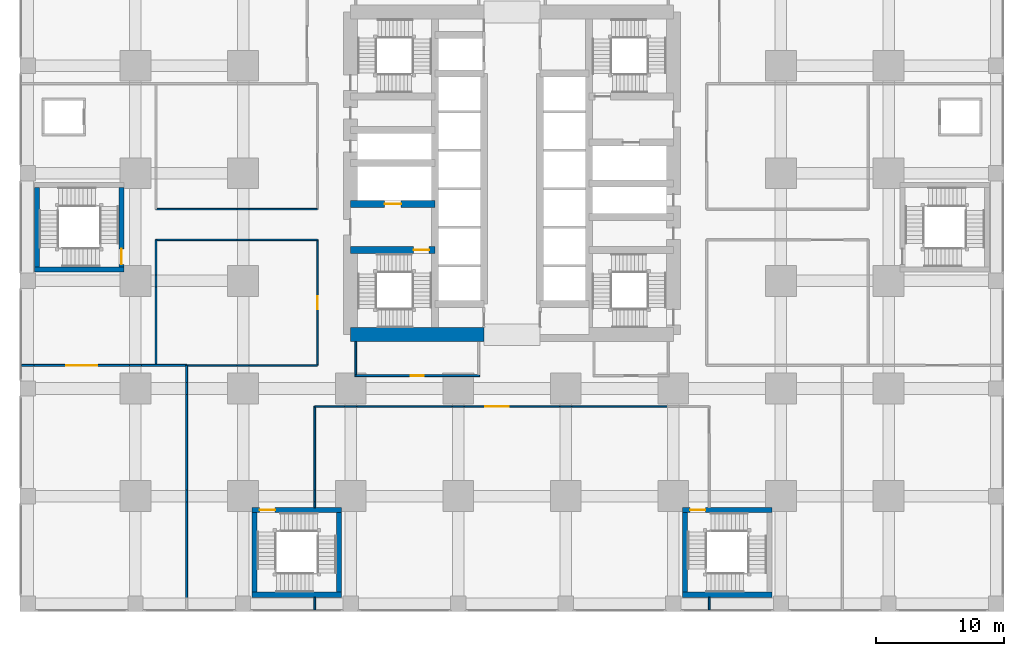
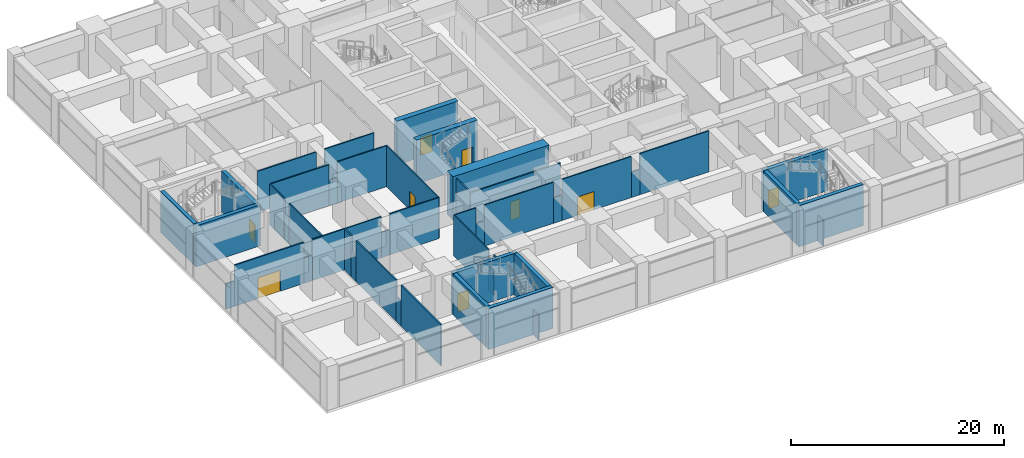
# One storey, part 36 of 49: 49 walls, 9 doors, 9 openings.
"""IFC4 building model written with IfcOpenShell, lengths in metres."""

from ifc_helpers import new_model, si_unit, direction, frame, frame_2d, origin, place, context, subcontext, project, spatial, rectangle, extrude, material, layer, layer_set, type_object, element, fill, save


model = new_model("IFC4")

# Units and contexts
model_context = context("Model", 3, precision=1e-05, world=origin(), true_north=direction((0.0, 1.0)))
body_context = subcontext(model_context, "Body", "Model", "MODEL_VIEW")
ifc_project = project(units=[si_unit("LENGTHUNIT", "METRE"), si_unit("AREAUNIT", "SQUARE_METRE"), si_unit("VOLUMEUNIT", "CUBIC_METRE"), si_unit("PLANEANGLEUNIT", "RADIAN"), si_unit("MASSUNIT", "GRAM", prefix="KILO")], contexts=[model_context])

# Site, building, storey
site_placement = place(None, origin())
site = spatial("IfcSite", under=ifc_project, at=site_placement, CompositionType="ELEMENT")
building_placement = place(site_placement, origin())
building = spatial("IfcBuilding", under=site, at=building_placement, Name="Rekha Terrace Tower", CompositionType="ELEMENT")
storey_placement = place(building_placement, frame((0.0, 0.0, 5.39990234375)))
storey = spatial("IfcBuildingStorey", under=building, at=storey_placement, Name="L01", CompositionType="ELEMENT", Elevation=5.39990234375)

# Wall, opening, door
ifc_material_1 = material(Name="Concrete M70", Category="concrete")
ifc_layer_1 = layer(ifc_material_1, 0.550048828125)
ifc_layer_set_1 = layer_set([ifc_layer_1], Name="Concrete M70")
wall_type_1 = type_object("IfcWallType", Name="CI1 550 core internal shear wall", PredefinedType="SHEAR", material=ifc_layer_set_1)
wall_1_placement = place(storey_placement, frame((25.199951171875, 27.60009765625, 0.0), z_axis=(0.0, 0.0, 1.0), x_axis=(1.0, 0.0, 0.0)))
wall_1 = element("IfcWall", 1, at=wall_1_placement, inside=storey, type_object=wall_type_1, Name="Core wall Y276W L01", PredefinedType="SHEAR", context=body_context, shape_type="SweptSolid", body=[
    extrude(rectangle(XDim=6.60009765625, YDim=0.550048828125, at=frame_2d((3.300048828125, 0.0))), origin(), (0.0, 0.0, 1.0), 5.0),
])
opening_1_placement = place(wall_1_placement, frame((4.925048828125, 0.0, 0.0)))
opening_1 = element("IfcOpeningElement", 2, at=opening_1_placement, cuts=wall_1, Name="Opening D1", PredefinedType="OPENING", context=body_context, shape_type="SweptSolid", body=[
    extrude(rectangle(XDim=1.199951171875, YDim=2.10009765625, at=frame_2d((0.60009765625, 1.050048828125))), frame((0.0, 0.284912109375, 0.0), z_axis=(0.0, -1.0, 0.0), x_axis=(1.0, 0.0, 0.0)), (0.0, 0.0, 1.0), 0.570068359375),
])
ifc_material_2 = material(Name="Steel fire door", Category="steel")
door_type_1 = type_object("IfcDoorType", Name="D1 1200x2100 stair fire door", OperationType="SINGLE_SWING_RIGHT", PredefinedType="DOOR", material=ifc_material_2)
door_1_placement = place(opening_1_placement, origin())
door_1 = element("IfcDoor", 3, at=door_1_placement, inside=storey, type_object=door_type_1, Name="Stair ST1 door L01", OperationType="SINGLE_SWING_RIGHT", OverallHeight=2.10009765625, OverallWidth=1.199951171875, PredefinedType="DOOR", context=body_context, shape_type="SweptSolid", body=[
    extrude(rectangle(XDim=1.199951171875, YDim=2.10009765625, at=frame_2d((0.60009765625, 1.050048828125))), frame((0.0, 0.02490234375, 0.0), z_axis=(0.0, -1.0, 0.0), x_axis=(1.0, 0.0, 0.0)), (0.0, 0.0, 1.0), 0.050048828125),
])
fill(opening_1, door_1)

wall_2_placement = place(storey_placement, frame((25.199951171875, 31.199951171875, 0.0), z_axis=(0.0, 0.0, 1.0), x_axis=(1.0, 0.0, 0.0)))
wall_2 = element("IfcWall", 4, at=wall_2_placement, inside=storey, type_object=wall_type_1, Name="Core wall Y312W L01", PredefinedType="SHEAR", context=body_context, shape_type="SweptSolid", body=[
    extrude(rectangle(XDim=6.60009765625, YDim=0.550048828125, at=frame_2d((3.300048828125, 0.0))), origin(), (0.0, 0.0, 1.0), 5.0),
])
opening_2_placement = place(wall_2_placement, frame((2.64990234375, 0.0, 0.0)))
opening_2 = element("IfcOpeningElement", 5, at=opening_2_placement, cuts=wall_2, Name="Opening LD2", PredefinedType="OPENING", context=body_context, shape_type="SweptSolid", body=[
    extrude(rectangle(XDim=1.300048828125, YDim=2.10009765625, at=frame_2d((0.64990234375, 1.050048828125))), frame((0.0, 0.284912109375, 0.0), z_axis=(0.0, -1.0, 0.0), x_axis=(1.0, 0.0, 0.0)), (0.0, 0.0, 1.0), 0.570068359375),
])
ifc_material_3 = material(Name="Stainless steel sliding landing door", Category="steel")
door_type_2 = type_object("IfcDoorType", Name="LD2 1300x2100 fire lift landing door", OperationType="SLIDING_TO_LEFT", PredefinedType="USERDEFINED", material=ifc_material_3)
door_2_placement = place(opening_2_placement, origin())
door_2 = element("IfcDoor", 6, at=door_2_placement, inside=storey, type_object=door_type_2, Name="Lift FL1 landing door L01", ObjectType="LIFT LANDING DOOR", OperationType="SLIDING_TO_LEFT", OverallHeight=2.10009765625, OverallWidth=1.300048828125, PredefinedType="USERDEFINED", context=body_context, shape_type="SweptSolid", body=[
    extrude(rectangle(XDim=1.300048828125, YDim=2.10009765625, at=frame_2d((0.64990234375, 1.050048828125))), frame((0.0, 0.02490234375, 0.0), z_axis=(0.0, -1.0, 0.0), x_axis=(1.0, 0.0, 0.0)), (0.0, 0.0, 1.0), 0.050048828125),
])
fill(opening_2, door_2)

# Wall
ifc_layer_2 = layer(ifc_material_1, 1.10009765625)
ifc_layer_set_2 = layer_set([ifc_layer_2], Name="Concrete M70")
wall_type_2 = type_object("IfcWallType", Name="SW1 1100 core outer shear wall", PredefinedType="SHEAR", material=ifc_layer_set_2)
wall_3_placement = place(storey_placement, frame((25.199951171875, 21.0, 0.0), z_axis=(0.0, 0.0, 1.0), x_axis=(1.0, 0.0, 0.0)))
element("IfcWall", 7, at=wall_3_placement, inside=storey, type_object=wall_type_2, Name="Core wall S1 L01", PredefinedType="SHEAR", context=body_context, shape_type="SweptSolid", body=[
    extrude(rectangle(XDim=10.400146484375, YDim=1.10009765625, at=frame_2d((5.2001953125, 0.0))), origin(), (0.0, 0.0, 1.0), 5.0),
])

# Wall, opening, door
ifc_material_4 = material(Name="Concrete block masonry, 1 hour", Category="masonry")
ifc_layer_3 = layer(ifc_material_4, 0.14990234375)
ifc_layer_set_3 = layer_set([ifc_layer_3], Name="Concrete block masonry, 1 hour")
wall_type_3 = type_object("IfcWallType", Name="WP2 150 tenancy partition", PredefinedType="PARTITIONING", material=ifc_layer_set_3)
wall_4_placement = place(storey_placement, frame((25.52490234375, 17.800048828125, 0.0), z_axis=(0.0, 0.0, 1.0), x_axis=(1.0, 0.0, 0.0)))
wall_4 = element("IfcWall", 8, at=wall_4_placement, inside=storey, type_object=wall_type_3, Name="Men's WC wall L01", PredefinedType="PARTITIONING", context=body_context, shape_type="SweptSolid", body=[
    extrude(rectangle(XDim=9.75, YDim=0.14990234375, at=frame_2d((4.875, 0.0))), origin(), (0.0, 0.0, 1.0), 4.7001953125),
])
opening_3_placement = place(wall_4_placement, frame((4.375, 0.0, 0.0)))
opening_3 = element("IfcOpeningElement", 9, at=opening_3_placement, cuts=wall_4, Name="Opening D3", PredefinedType="OPENING", context=body_context, shape_type="SweptSolid", body=[
    extrude(rectangle(XDim=1.0, YDim=2.10009765625, at=frame_2d((0.5, 1.050048828125))), frame((0.0, 0.0849609375, 0.0), z_axis=(0.0, -1.0, 0.0), x_axis=(1.0, 0.0, 0.0)), (0.0, 0.0, 1.0), 0.169921875),
])
ifc_material_5 = material(Name="Laminated timber fire door", Category="wood")
door_type_3 = type_object("IfcDoorType", Name="D3 1000x2100 WC door", OperationType="SINGLE_SWING_LEFT", PredefinedType="DOOR", material=ifc_material_5)
door_3_placement = place(opening_3_placement, origin())
door_3 = element("IfcDoor", 10, at=door_3_placement, inside=storey, type_object=door_type_3, Name="Door men's wc L01", OperationType="SINGLE_SWING_LEFT", OverallHeight=2.10009765625, OverallWidth=1.0, PredefinedType="DOOR", context=body_context, shape_type="SweptSolid", body=[
    extrude(rectangle(XDim=1.0, YDim=2.10009765625, at=frame_2d((0.5, 1.050048828125))), frame((0.0, 0.02490234375, 0.0), z_axis=(0.0, -1.0, 0.0), x_axis=(1.0, 0.0, 0.0)), (0.0, 0.0, 1.0), 0.050048828125),
])
fill(opening_3, door_3)

# Walls
wall_5_placement = place(storey_placement, frame((25.60009765625, 17.875, 0.0), z_axis=(0.0, 0.0, 1.0), x_axis=(0.0, 1.0, 0.0)))
element("IfcWall", 11, at=wall_5_placement, inside=storey, type_object=wall_type_3, Name="Men's WC wall L01", PredefinedType="PARTITIONING", context=body_context, shape_type="SweptSolid", body=[
    extrude(rectangle(XDim=2.574951171875, YDim=0.14990234375, at=frame_2d((1.28759765625, 0.0))), origin(), (0.0, 0.0, 1.0), 4.7001953125),
])
wall_6_placement = place(storey_placement, frame((-0.489990234375, 18.60009765625, 0.0), z_axis=(0.0, 0.0, 1.0), x_axis=(1.0, 0.0, 0.0)))
element("IfcWall", 12, at=wall_6_placement, inside=storey, type_object=wall_type_3, Name="Partition L01-05", PredefinedType="PARTITIONING", context=body_context, shape_type="SweptSolid", body=[
    extrude(rectangle(XDim=0.949951171875, YDim=0.14990234375, at=frame_2d((0.47509765625, 0.0))), origin(), (0.0, 0.0, 1.0), 2.900146484375),
])

# Wall, opening, door
wall_7_placement = place(storey_placement, frame((0.4599609375, 18.60009765625, 0.0), z_axis=(0.0, 0.0, 1.0), x_axis=(1.0, 0.0, 0.0)))
wall_7 = element("IfcWall", 13, at=wall_7_placement, inside=storey, type_object=wall_type_3, Name="Partition L01-05", PredefinedType="PARTITIONING", context=body_context, shape_type="SweptSolid", body=[
    extrude(rectangle(XDim=7.47998046875, YDim=0.14990234375, at=frame_2d((3.739990234375, 0.0))), origin(), (0.0, 0.0, 1.0), 4.7001953125),
])
opening_4_placement = place(wall_7_placement, frame((2.5400390625, 0.0, 0.0)))
opening_4 = element("IfcOpeningElement", 14, at=opening_4_placement, cuts=wall_7, Name="Opening D7", PredefinedType="OPENING", context=body_context, shape_type="SweptSolid", body=[
    extrude(rectangle(XDim=2.39990234375, YDim=2.39990234375, at=frame_2d((1.199951171875, 1.199951171875))), frame((0.0, 0.0849609375, 0.0), z_axis=(0.0, -1.0, 0.0), x_axis=(1.0, 0.0, 0.0)), (0.0, 0.0, 1.0), 0.169921875),
])
ifc_material_6 = material(Name="Glazed aluminium door", Category="aluminium")
door_type_4 = type_object("IfcDoorType", Name="D7 2400x2400 shopfront double door", OperationType="DOUBLE_DOOR_SINGLE_SWING", PredefinedType="DOOR", material=ifc_material_6)
door_4_placement = place(opening_4_placement, origin())
door_4 = element("IfcDoor", 15, at=door_4_placement, inside=storey, type_object=door_type_4, Name="Door retail unit 7 L01", OperationType="DOUBLE_DOOR_SINGLE_SWING", OverallHeight=2.39990234375, OverallWidth=2.39990234375, PredefinedType="DOOR", context=body_context, shape_type="SweptSolid", body=[
    extrude(rectangle(XDim=2.39990234375, YDim=2.39990234375, at=frame_2d((1.199951171875, 1.199951171875))), frame((0.0, 0.02490234375, 0.0), z_axis=(0.0, -1.0, 0.0), x_axis=(1.0, 0.0, 0.0)), (0.0, 0.0, 1.0), 0.050048828125),
])
fill(opening_4, door_4)

# Walls
wall_8_placement = place(storey_placement, frame((7.93994140625, 18.60009765625, 0.0), z_axis=(0.0, 0.0, 1.0), x_axis=(1.0, 0.0, 0.0)))
element("IfcWall", 16, at=wall_8_placement, inside=storey, type_object=wall_type_3, Name="Partition L01-05", PredefinedType="PARTITIONING", context=body_context, shape_type="SweptSolid", body=[
    extrude(rectangle(XDim=0.920166015625, YDim=0.14990234375, at=frame_2d((0.4599609375, 0.0))), origin(), (0.0, 0.0, 1.0), 2.900146484375),
])
wall_9_placement = place(storey_placement, frame((8.860107421875, 18.60009765625, 0.0), z_axis=(0.0, 0.0, 1.0), x_axis=(1.0, 0.0, 0.0)))
element("IfcWall", 17, at=wall_9_placement, inside=storey, type_object=wall_type_3, Name="Partition L01-05", PredefinedType="PARTITIONING", context=body_context, shape_type="SweptSolid", body=[
    extrude(rectangle(XDim=3.539794921875, YDim=0.14990234375, at=frame_2d((1.77001953125, 0.0))), origin(), (0.0, 0.0, 1.0), 4.7001953125),
])
wall_10_placement = place(storey_placement, frame((12.39990234375, 18.60009765625, 0.0), z_axis=(0.0, 0.0, 1.0), x_axis=(0.0, -1.0, 0.0)))
element("IfcWall", 18, at=wall_10_placement, inside=storey, type_object=wall_type_3, Name="Partition L01-05", PredefinedType="PARTITIONING", context=body_context, shape_type="SweptSolid", body=[
    extrude(rectangle(XDim=1.340087890625, YDim=0.14990234375, at=frame_2d((0.669921875, 0.0))), origin(), (0.0, 0.0, 1.0), 4.7001953125),
])
wall_11_placement = place(storey_placement, frame((12.39990234375, 17.260009765625, 0.0), z_axis=(0.0, 0.0, 1.0), x_axis=(0.0, -1.0, 0.0)))
element("IfcWall", 19, at=wall_11_placement, inside=storey, type_object=wall_type_3, Name="Partition L01-05", PredefinedType="PARTITIONING", context=body_context, shape_type="SweptSolid", body=[
    extrude(rectangle(XDim=0.919921875, YDim=0.14990234375, at=frame_2d((0.4599609375, 0.0))), origin(), (0.0, 0.0, 1.0), 2.900146484375),
])
wall_12_placement = place(storey_placement, frame((12.39990234375, 16.340087890625, 0.0), z_axis=(0.0, 0.0, 1.0), x_axis=(0.0, -1.0, 0.0)))
element("IfcWall", 20, at=wall_12_placement, inside=storey, type_object=wall_type_3, Name="Partition L01-05", PredefinedType="PARTITIONING", context=body_context, shape_type="SweptSolid", body=[
    extrude(rectangle(XDim=7.47998046875, YDim=0.14990234375, at=frame_2d((3.739990234375, 0.0))), origin(), (0.0, 0.0, 1.0), 4.7001953125),
])
wall_13_placement = place(storey_placement, frame((12.39990234375, 8.860107421875, 0.0), z_axis=(0.0, 0.0, 1.0), x_axis=(0.0, -1.0, 0.0)))
element("IfcWall", 21, at=wall_13_placement, inside=storey, type_object=wall_type_3, Name="Partition L01-05", PredefinedType="PARTITIONING", context=body_context, shape_type="SweptSolid", body=[
    extrude(rectangle(XDim=0.920166015625, YDim=0.14990234375, at=frame_2d((0.4599609375, 0.0))), origin(), (0.0, 0.0, 1.0), 2.900146484375),
])
wall_14_placement = place(storey_placement, frame((12.39990234375, 7.93994140625, 0.0), z_axis=(0.0, 0.0, 1.0), x_axis=(0.0, -1.0, 0.0)))
element("IfcWall", 22, at=wall_14_placement, inside=storey, type_object=wall_type_3, Name="Partition L01-05", PredefinedType="PARTITIONING", context=body_context, shape_type="SweptSolid", body=[
    extrude(rectangle(XDim=7.47998046875, YDim=0.14990234375, at=frame_2d((3.739990234375, 0.0))), origin(), (0.0, 0.0, 1.0), 4.7001953125),
])
ifc_material_7 = material(Name="Two layers of fire-rated gypsum board each side on steel studs, acoustic quilt, 1 hour", Category="steel")
ifc_layer_4 = layer(ifc_material_7, 0.125)
ifc_layer_set_4 = layer_set([ifc_layer_4], Name="Two layers of fire-rated gypsum board each side on steel studs, acoustic quilt, 1 hour")
wall_type_4 = type_object("IfcWallType", Name="WP3 125 office partition", PredefinedType="PARTITIONING", material=ifc_layer_set_4)
wall_15_placement = place(storey_placement, frame((22.39990234375, 7.5, 0.0), z_axis=(0.0, 0.0, 1.0), x_axis=(0.0, 1.0, 0.0)))
element("IfcWall", 23, at=wall_15_placement, inside=storey, type_object=wall_type_4, Name="Partition L01-02", PredefinedType="PARTITIONING", context=body_context, shape_type="SweptSolid", body=[
    extrude(rectangle(XDim=0.43994140625, YDim=0.125, at=frame_2d((0.219970703125, 0.0))), origin(), (0.0, 0.0, 1.0), 4.7001953125),
])
wall_16_placement = place(storey_placement, frame((22.39990234375, 7.93994140625, 0.0), z_axis=(0.0, 0.0, 1.0), x_axis=(0.0, 1.0, 0.0)))
element("IfcWall", 24, at=wall_16_placement, inside=storey, type_object=wall_type_4, Name="Partition L01-02", PredefinedType="PARTITIONING", context=body_context, shape_type="SweptSolid", body=[
    extrude(rectangle(XDim=0.920166015625, YDim=0.125, at=frame_2d((0.4599609375, 0.0))), origin(), (0.0, 0.0, 1.0), 2.900146484375),
])
wall_17_placement = place(storey_placement, frame((22.39990234375, 8.860107421875, 0.0), z_axis=(0.0, 0.0, 1.0), x_axis=(0.0, 1.0, 0.0)))
element("IfcWall", 25, at=wall_17_placement, inside=storey, type_object=wall_type_4, Name="Partition L01-02", PredefinedType="PARTITIONING", context=body_context, shape_type="SweptSolid", body=[
    extrude(rectangle(XDim=6.539794921875, YDim=0.125, at=frame_2d((3.27001953125, 0.0))), origin(), (0.0, 0.0, 1.0), 4.7001953125),
])
wall_18_placement = place(storey_placement, frame((22.39990234375, 15.39990234375, 0.0), z_axis=(0.0, 0.0, 1.0), x_axis=(1.0, 0.0, 0.0)))
element("IfcWall", 26, at=wall_18_placement, inside=storey, type_object=wall_type_4, Name="Partition L01-02", PredefinedType="PARTITIONING", context=body_context, shape_type="SweptSolid", body=[
    extrude(rectangle(XDim=2.340087890625, YDim=0.125, at=frame_2d((1.169921875, 0.0))), origin(), (0.0, 0.0, 1.0), 4.7001953125),
])
wall_19_placement = place(storey_placement, frame((24.739990234375, 15.39990234375, 0.0), z_axis=(0.0, 0.0, 1.0), x_axis=(1.0, 0.0, 0.0)))
element("IfcWall", 27, at=wall_19_placement, inside=storey, type_object=wall_type_4, Name="Partition L01-02", PredefinedType="PARTITIONING", context=body_context, shape_type="SweptSolid", body=[
    extrude(rectangle(XDim=0.919921875, YDim=0.125, at=frame_2d((0.4599609375, 0.0))), origin(), (0.0, 0.0, 1.0), 2.900146484375),
])
wall_20_placement = place(storey_placement, frame((25.659912109375, 15.39990234375, 0.0), z_axis=(0.0, 0.0, 1.0), x_axis=(1.0, 0.0, 0.0)))
element("IfcWall", 28, at=wall_20_placement, inside=storey, type_object=wall_type_4, Name="Partition L01-02", PredefinedType="PARTITIONING", context=body_context, shape_type="SweptSolid", body=[
    extrude(rectangle(XDim=7.47998046875, YDim=0.125, at=frame_2d((3.739990234375, 0.0))), origin(), (0.0, 0.0, 1.0), 4.7001953125),
])
wall_21_placement = place(storey_placement, frame((33.139892578125, 15.39990234375, 0.0), z_axis=(0.0, 0.0, 1.0), x_axis=(1.0, 0.0, 0.0)))
element("IfcWall", 29, at=wall_21_placement, inside=storey, type_object=wall_type_4, Name="Partition L01-02", PredefinedType="PARTITIONING", context=body_context, shape_type="SweptSolid", body=[
    extrude(rectangle(XDim=0.920166015625, YDim=0.125, at=frame_2d((0.4599609375, 0.0))), origin(), (0.0, 0.0, 1.0), 2.900146484375),
])

# Wall, opening, door
wall_22_placement = place(storey_placement, frame((34.06005859375, 15.39990234375, 0.0), z_axis=(0.0, 0.0, 1.0), x_axis=(1.0, 0.0, 0.0)))
wall_22 = element("IfcWall", 30, at=wall_22_placement, inside=storey, type_object=wall_type_4, Name="Partition L01-02", PredefinedType="PARTITIONING", context=body_context, shape_type="SweptSolid", body=[
    extrude(rectangle(XDim=7.47998046875, YDim=0.125, at=frame_2d((3.739990234375, 0.0))), origin(), (0.0, 0.0, 1.0), 4.7001953125),
])
opening_5_placement = place(wall_22_placement, frame((1.669921875, 0.0, 0.0)))
opening_5 = element("IfcOpeningElement", 31, at=opening_5_placement, cuts=wall_22, Name="Opening D8", PredefinedType="OPENING", context=body_context, shape_type="SweptSolid", body=[
    extrude(rectangle(XDim=1.800048828125, YDim=2.10009765625, at=frame_2d((0.89990234375, 1.050048828125))), frame((0.0, 0.072509765625, 0.0), z_axis=(0.0, -1.0, 0.0), x_axis=(1.0, 0.0, 0.0)), (0.0, 0.0, 1.0), 0.14501953125),
])
ifc_material_8 = material(Name="Timber fire door", Category="wood")
door_type_5 = type_object("IfcDoorType", Name="D8 1800x2100 double leaf door", OperationType="DOUBLE_DOOR_SINGLE_SWING", PredefinedType="DOOR", material=ifc_material_8)
door_5_placement = place(opening_5_placement, origin())
door_5 = element("IfcDoor", 32, at=door_5_placement, inside=storey, type_object=door_type_5, Name="Door metro mezzanine L01", OperationType="DOUBLE_DOOR_SINGLE_SWING", OverallHeight=2.10009765625, OverallWidth=1.800048828125, PredefinedType="DOOR", context=body_context, shape_type="SweptSolid", body=[
    extrude(rectangle(XDim=1.800048828125, YDim=2.10009765625, at=frame_2d((0.89990234375, 1.050048828125))), frame((0.0, 0.02490234375, 0.0), z_axis=(0.0, -1.0, 0.0), x_axis=(1.0, 0.0, 0.0)), (0.0, 0.0, 1.0), 0.050048828125),
])
fill(opening_5, door_5)

# Walls
wall_23_placement = place(storey_placement, frame((41.5400390625, 15.39990234375, 0.0), z_axis=(0.0, 0.0, 1.0), x_axis=(1.0, 0.0, 0.0)))
element("IfcWall", 33, at=wall_23_placement, inside=storey, type_object=wall_type_4, Name="Partition L01-02", PredefinedType="PARTITIONING", context=body_context, shape_type="SweptSolid", body=[
    extrude(rectangle(XDim=0.919921875, YDim=0.125, at=frame_2d((0.4599609375, 0.0))), origin(), (0.0, 0.0, 1.0), 2.900146484375),
])
wall_24_placement = place(storey_placement, frame((42.4599609375, 15.39990234375, 0.0), z_axis=(0.0, 0.0, 1.0), x_axis=(1.0, 0.0, 0.0)))
element("IfcWall", 34, at=wall_24_placement, inside=storey, type_object=wall_type_4, Name="Partition L01-02", PredefinedType="PARTITIONING", context=body_context, shape_type="SweptSolid", body=[
    extrude(rectangle(XDim=7.47998046875, YDim=0.125, at=frame_2d((3.739990234375, 0.0))), origin(), (0.0, 0.0, 1.0), 4.7001953125),
])
for number, where, z_axis, x_axis, name in (
    (35, (53.199951171875, 0.5, 0.0), (0.0, 0.0, 1.0), (0.0, -1.0, 0.0), "Partition L01-02"),
    (36, (22.39990234375, -0.489990234375, 0.0), (0.0, 0.0, 1.0), (0.0, 1.0, 0.0), "Partition L01-02"),
):
    element("IfcWall", number, at=place(storey_placement, frame(where, z_axis=z_axis, x_axis=x_axis)), inside=storey, type_object=wall_type_4, Name=name, PredefinedType="PARTITIONING", context=body_context, shape_type="SweptSolid", body=[
        extrude(rectangle(XDim=0.989990234375, YDim=0.125, at=frame_2d((0.4951171875, 0.0))), origin(), (0.0, 0.0, 1.0), 2.900146484375),
    ])
wall_25_placement = place(storey_placement, frame((10.0, 28.39990234375, 0.0), z_axis=(0.0, 0.0, 1.0), x_axis=(1.0, 0.0, 0.0)))
element("IfcWall", 37, at=wall_25_placement, inside=storey, type_object=wall_type_4, Name="Partition L01-07", PredefinedType="PARTITIONING", context=body_context, shape_type="SweptSolid", body=[
    extrude(rectangle(XDim=6.340087890625, YDim=0.125, at=frame_2d((3.169921875, 0.0))), origin(), (0.0, 0.0, 1.0), 4.7001953125),
])
wall_26_placement = place(storey_placement, frame((16.340087890625, 28.39990234375, 0.0), z_axis=(0.0, 0.0, 1.0), x_axis=(1.0, 0.0, 0.0)))
element("IfcWall", 38, at=wall_26_placement, inside=storey, type_object=wall_type_4, Name="Partition L01-07", PredefinedType="PARTITIONING", context=body_context, shape_type="SweptSolid", body=[
    extrude(rectangle(XDim=0.919921875, YDim=0.125, at=frame_2d((0.4599609375, 0.0))), origin(), (0.0, 0.0, 1.0), 2.900146484375),
])
wall_27_placement = place(storey_placement, frame((17.260009765625, 28.39990234375, 0.0), z_axis=(0.0, 0.0, 1.0), x_axis=(1.0, 0.0, 0.0)))
element("IfcWall", 39, at=wall_27_placement, inside=storey, type_object=wall_type_4, Name="Partition L01-07", PredefinedType="PARTITIONING", context=body_context, shape_type="SweptSolid", body=[
    extrude(rectangle(XDim=5.340087890625, YDim=0.125, at=frame_2d((2.669921875, 0.0))), origin(), (0.0, 0.0, 1.0), 4.7001953125),
])

# Wall, opening, door
wall_28_placement = place(storey_placement, frame((22.60009765625, 28.39990234375, 0.0), z_axis=(0.0, 0.0, 1.0), x_axis=(0.0, -1.0, 0.0)))
wall_28 = element("IfcWall", 40, at=wall_28_placement, inside=storey, type_object=wall_type_4, Name="Partition L01-07", PredefinedType="PARTITIONING", context=body_context, shape_type="SweptSolid", body=[
    extrude(rectangle(XDim=9.7998046875, YDim=0.125, at=frame_2d((4.89990234375, 0.0))), origin(), (0.0, 0.0, 1.0), 4.7001953125),
])
opening_6_placement = place(wall_28_placement, frame((4.39990234375, 0.0, 0.0)))
opening_6 = element("IfcOpeningElement", 41, at=opening_6_placement, cuts=wall_28, Name="Opening D9", PredefinedType="OPENING", context=body_context, shape_type="SweptSolid", body=[
    extrude(rectangle(XDim=1.0, YDim=2.10009765625, at=frame_2d((0.5, 1.050048828125))), frame((0.0, 0.072509765625, 0.0), z_axis=(0.0, -1.0, 0.0), x_axis=(1.0, 0.0, 0.0)), (0.0, 0.0, 1.0), 0.14501953125),
])
door_type_6 = type_object("IfcDoorType", Name="D9 1000x2100 office door", OperationType="SINGLE_SWING_LEFT", PredefinedType="DOOR", material=ifc_material_8)
door_6_placement = place(opening_6_placement, origin())
door_6 = element("IfcDoor", 42, at=door_6_placement, inside=storey, type_object=door_type_6, Name="Door metro ticket office L01", OperationType="SINGLE_SWING_LEFT", OverallHeight=2.10009765625, OverallWidth=1.0, PredefinedType="DOOR", context=body_context, shape_type="SweptSolid", body=[
    extrude(rectangle(XDim=1.0, YDim=2.10009765625, at=frame_2d((0.5, 1.050048828125))), frame((0.0, 0.02490234375, 0.0), z_axis=(0.0, -1.0, 0.0), x_axis=(1.0, 0.0, 0.0)), (0.0, 0.0, 1.0), 0.050048828125),
])
fill(opening_6, door_6)

# Walls
wall_29_placement = place(storey_placement, frame((22.60009765625, 18.60009765625, 0.0), z_axis=(0.0, 0.0, 1.0), x_axis=(-1.0, 0.0, 0.0)))
element("IfcWall", 43, at=wall_29_placement, inside=storey, type_object=wall_type_4, Name="Partition L01-07", PredefinedType="PARTITIONING", context=body_context, shape_type="SweptSolid", body=[
    extrude(rectangle(XDim=5.340087890625, YDim=0.125, at=frame_2d((2.669921875, 0.0))), origin(), (0.0, 0.0, 1.0), 4.7001953125),
])
wall_30_placement = place(storey_placement, frame((17.260009765625, 18.60009765625, 0.0), z_axis=(0.0, 0.0, 1.0), x_axis=(-1.0, 0.0, 0.0)))
element("IfcWall", 44, at=wall_30_placement, inside=storey, type_object=wall_type_4, Name="Partition L01-07", PredefinedType="PARTITIONING", context=body_context, shape_type="SweptSolid", body=[
    extrude(rectangle(XDim=0.919921875, YDim=0.125, at=frame_2d((0.4599609375, 0.0))), origin(), (0.0, 0.0, 1.0), 2.900146484375),
])
wall_31_placement = place(storey_placement, frame((16.340087890625, 18.60009765625, 0.0), z_axis=(0.0, 0.0, 1.0), x_axis=(-1.0, 0.0, 0.0)))
element("IfcWall", 45, at=wall_31_placement, inside=storey, type_object=wall_type_4, Name="Partition L01-07", PredefinedType="PARTITIONING", context=body_context, shape_type="SweptSolid", body=[
    extrude(rectangle(XDim=3.940185546875, YDim=0.125, at=frame_2d((1.97021484375, 0.0))), origin(), (0.0, 0.0, 1.0), 4.7001953125),
])
wall_32_placement = place(storey_placement, frame((10.0, 18.675048828125, 0.0), z_axis=(0.0, 0.0, 1.0), x_axis=(0.0, 1.0, 0.0)))
element("IfcWall", 46, at=wall_32_placement, inside=storey, type_object=wall_type_4, Name="Partition L01-07", PredefinedType="PARTITIONING", context=body_context, shape_type="SweptSolid", body=[
    extrude(rectangle(XDim=6.06494140625, YDim=0.125, at=frame_2d((3.032470703125, 0.0))), origin(), (0.0, 0.0, 1.0), 4.7001953125),
])
wall_33_placement = place(storey_placement, frame((10.0, 24.739990234375, 0.0), z_axis=(0.0, 0.0, 1.0), x_axis=(0.0, 1.0, 0.0)))
element("IfcWall", 47, at=wall_33_placement, inside=storey, type_object=wall_type_4, Name="Partition L01-07", PredefinedType="PARTITIONING", context=body_context, shape_type="SweptSolid", body=[
    extrude(rectangle(XDim=0.919921875, YDim=0.125, at=frame_2d((0.4599609375, 0.0))), origin(), (0.0, 0.0, 1.0), 2.900146484375),
])
wall_34_placement = place(storey_placement, frame((10.0, 25.659912109375, 0.0), z_axis=(0.0, 0.0, 1.0), x_axis=(0.0, 1.0, 0.0)))
element("IfcWall", 48, at=wall_34_placement, inside=storey, type_object=wall_type_4, Name="Partition L01-07", PredefinedType="PARTITIONING", context=body_context, shape_type="SweptSolid", body=[
    extrude(rectangle(XDim=2.739990234375, YDim=0.125, at=frame_2d((1.3701171875, 0.0))), origin(), (0.0, 0.0, 1.0), 4.7001953125),
])
wall_35_placement = place(storey_placement, frame((22.60009765625, 30.800048828125, 0.0), z_axis=(0.0, 0.0, 1.0), x_axis=(-1.0, 0.0, 0.0)))
element("IfcWall", 49, at=wall_35_placement, inside=storey, type_object=wall_type_4, Name="Partition L01-08", PredefinedType="PARTITIONING", context=body_context, shape_type="SweptSolid", body=[
    extrude(rectangle(XDim=5.340087890625, YDim=0.125, at=frame_2d((2.669921875, 0.0))), origin(), (0.0, 0.0, 1.0), 4.7001953125),
])
wall_36_placement = place(storey_placement, frame((17.260009765625, 30.800048828125, 0.0), z_axis=(0.0, 0.0, 1.0), x_axis=(-1.0, 0.0, 0.0)))
element("IfcWall", 50, at=wall_36_placement, inside=storey, type_object=wall_type_4, Name="Partition L01-08", PredefinedType="PARTITIONING", context=body_context, shape_type="SweptSolid", body=[
    extrude(rectangle(XDim=0.919921875, YDim=0.125, at=frame_2d((0.4599609375, 0.0))), origin(), (0.0, 0.0, 1.0), 2.900146484375),
])
wall_37_placement = place(storey_placement, frame((16.340087890625, 30.800048828125, 0.0), z_axis=(0.0, 0.0, 1.0), x_axis=(-1.0, 0.0, 0.0)))
element("IfcWall", 51, at=wall_37_placement, inside=storey, type_object=wall_type_4, Name="Partition L01-08", PredefinedType="PARTITIONING", context=body_context, shape_type="SweptSolid", body=[
    extrude(rectangle(XDim=6.340087890625, YDim=0.125, at=frame_2d((3.169921875, 0.0))), origin(), (0.0, 0.0, 1.0), 4.7001953125),
])
ifc_material_9 = material(Name="Concrete M60", Category="concrete")
ifc_layer_5 = layer(ifc_material_9, 0.39990234375)
ifc_layer_set_5 = layer_set([ifc_layer_5], Name="Concrete M60")
wall_type_5 = type_object("IfcWallType", Name="WS3 400 RC podium stair wall", PredefinedType="SOLIDWALL", material=ifc_layer_set_5)
wall_38_placement = place(storey_placement, frame((0.5, 26.10009765625, 0.0), z_axis=(0.0, 0.0, 1.0), x_axis=(1.0, 0.0, 0.0)))
element("IfcWall", 52, at=wall_38_placement, inside=storey, type_object=wall_type_5, Name="Stair SP1 south wall", PredefinedType="SOLIDWALL", context=body_context, shape_type="SweptSolid", body=[
    extrude(rectangle(XDim=7.0, YDim=0.39990234375, at=frame_2d((3.5, 0.0))), origin(), (0.0, 0.0, 1.0), 4.7001953125),
])
wall_39_placement = place(storey_placement, frame((0.699951171875, 26.300048828125, 0.0), z_axis=(0.0, 0.0, 1.0), x_axis=(0.0, 1.0, 0.0)))
element("IfcWall", 53, at=wall_39_placement, inside=storey, type_object=wall_type_5, Name="Stair SP1 west wall", PredefinedType="SOLIDWALL", context=body_context, shape_type="SweptSolid", body=[
    extrude(rectangle(XDim=6.199951171875, YDim=0.39990234375, at=frame_2d((3.10009765625, 0.0))), origin(), (0.0, 0.0, 1.0), 4.7001953125),
])

# Wall, opening, door
wall_40_placement = place(storey_placement, frame((7.300048828125, 26.300048828125, 0.0), z_axis=(0.0, 0.0, 1.0), x_axis=(0.0, 1.0, 0.0)))
wall_40 = element("IfcWall", 54, at=wall_40_placement, inside=storey, type_object=wall_type_5, Name="Stair SP1 east wall", PredefinedType="SOLIDWALL", context=body_context, shape_type="SweptSolid", body=[
    extrude(rectangle(XDim=6.199951171875, YDim=0.39990234375, at=frame_2d((3.10009765625, 0.0))), origin(), (0.0, 0.0, 1.0), 4.7001953125),
])
opening_7_placement = place(wall_40_placement, frame((0.199951171875, 0.0, 0.0)))
opening_7 = element("IfcOpeningElement", 55, at=opening_7_placement, cuts=wall_40, Name="Opening D1", PredefinedType="OPENING", context=body_context, shape_type="SweptSolid", body=[
    extrude(rectangle(XDim=1.199951171875, YDim=2.10009765625, at=frame_2d((0.60009765625, 1.050048828125))), frame((0.0, 0.2099609375, 0.0), z_axis=(0.0, -1.0, 0.0), x_axis=(1.0, 0.0, 0.0)), (0.0, 0.0, 1.0), 0.419921875),
])
door_7_placement = place(opening_7_placement, origin())
door_7 = element("IfcDoor", 56, at=door_7_placement, inside=storey, type_object=door_type_1, Name="Stair SP1 door L01", OperationType="SINGLE_SWING_RIGHT", OverallHeight=2.10009765625, OverallWidth=1.199951171875, PredefinedType="DOOR", context=body_context, shape_type="SweptSolid", body=[
    extrude(rectangle(XDim=1.199951171875, YDim=2.10009765625, at=frame_2d((0.60009765625, 1.050048828125))), frame((0.0, 0.02490234375, 0.0), z_axis=(0.0, -1.0, 0.0), x_axis=(1.0, 0.0, 0.0)), (0.0, 0.0, 1.0), 0.050048828125),
])
fill(opening_7, door_7)

# Wall
wall_41_placement = place(storey_placement, frame((17.5, 0.699951171875, 0.0), z_axis=(0.0, 0.0, 1.0), x_axis=(1.0, 0.0, 0.0)))
element("IfcWall", 57, at=wall_41_placement, inside=storey, type_object=wall_type_5, Name="Stair SP3 south wall", PredefinedType="SOLIDWALL", context=body_context, shape_type="SweptSolid", body=[
    extrude(rectangle(XDim=7.0, YDim=0.39990234375, at=frame_2d((3.5, 0.0))), origin(), (0.0, 0.0, 1.0), 4.7001953125),
])

# Wall, opening, door
wall_42_placement = place(storey_placement, frame((17.5, 7.300048828125, 0.0), z_axis=(0.0, 0.0, 1.0), x_axis=(1.0, 0.0, 0.0)))
wall_42 = element("IfcWall", 58, at=wall_42_placement, inside=storey, type_object=wall_type_5, Name="Stair SP3 north wall", PredefinedType="SOLIDWALL", context=body_context, shape_type="SweptSolid", body=[
    extrude(rectangle(XDim=7.0, YDim=0.39990234375, at=frame_2d((3.5, 0.0))), origin(), (0.0, 0.0, 1.0), 4.7001953125),
])
opening_8_placement = place(wall_42_placement, frame((0.60009765625, 0.0, 0.0)))
opening_8 = element("IfcOpeningElement", 59, at=opening_8_placement, cuts=wall_42, Name="Opening D1", PredefinedType="OPENING", context=body_context, shape_type="SweptSolid", body=[
    extrude(rectangle(XDim=1.199951171875, YDim=2.10009765625, at=frame_2d((0.60009765625, 1.050048828125))), frame((0.0, 0.2099609375, 0.0), z_axis=(0.0, -1.0, 0.0), x_axis=(1.0, 0.0, 0.0)), (0.0, 0.0, 1.0), 0.419921875),
])
door_8_placement = place(opening_8_placement, origin())
door_8 = element("IfcDoor", 60, at=door_8_placement, inside=storey, type_object=door_type_1, Name="Stair SP3 door L01", OperationType="SINGLE_SWING_RIGHT", OverallHeight=2.10009765625, OverallWidth=1.199951171875, PredefinedType="DOOR", context=body_context, shape_type="SweptSolid", body=[
    extrude(rectangle(XDim=1.199951171875, YDim=2.10009765625, at=frame_2d((0.60009765625, 1.050048828125))), frame((0.0, 0.02490234375, 0.0), z_axis=(0.0, -1.0, 0.0), x_axis=(1.0, 0.0, 0.0)), (0.0, 0.0, 1.0), 0.050048828125),
])
fill(opening_8, door_8)

# Walls
for number, where, z_axis, x_axis, name in (
    (61, (17.699951171875, 0.89990234375, 0.0), (0.0, 0.0, 1.0), (0.0, 1.0, 0.0), "Stair SP3 west wall"),
    (62, (24.300048828125, 0.89990234375, 0.0), (0.0, 0.0, 1.0), (0.0, 1.0, 0.0), "Stair SP3 east wall"),
):
    element("IfcWall", number, at=place(storey_placement, frame(where, z_axis=z_axis, x_axis=x_axis)), inside=storey, type_object=wall_type_5, Name=name, PredefinedType="SOLIDWALL", context=body_context, shape_type="SweptSolid", body=[
        extrude(rectangle(XDim=6.2001953125, YDim=0.39990234375, at=frame_2d((3.10009765625, 0.0))), origin(), (0.0, 0.0, 1.0), 4.7001953125),
    ])
wall_43_placement = place(storey_placement, frame((51.10009765625, 0.699951171875, 0.0), z_axis=(0.0, 0.0, 1.0), x_axis=(1.0, 0.0, 0.0)))
element("IfcWall", 63, at=wall_43_placement, inside=storey, type_object=wall_type_5, Name="Stair SP4 south wall", PredefinedType="SOLIDWALL", context=body_context, shape_type="SweptSolid", body=[
    extrude(rectangle(XDim=7.0, YDim=0.39990234375, at=frame_2d((3.5, 0.0))), origin(), (0.0, 0.0, 1.0), 4.7001953125),
])

# Wall, opening, door
wall_44_placement = place(storey_placement, frame((51.10009765625, 7.300048828125, 0.0), z_axis=(0.0, 0.0, 1.0), x_axis=(1.0, 0.0, 0.0)))
wall_44 = element("IfcWall", 64, at=wall_44_placement, inside=storey, type_object=wall_type_5, Name="Stair SP4 north wall", PredefinedType="SOLIDWALL", context=body_context, shape_type="SweptSolid", body=[
    extrude(rectangle(XDim=7.0, YDim=0.39990234375, at=frame_2d((3.5, 0.0))), origin(), (0.0, 0.0, 1.0), 4.7001953125),
])
opening_9_placement = place(wall_44_placement, frame((0.60009765625, 0.0, 0.0)))
opening_9 = element("IfcOpeningElement", 65, at=opening_9_placement, cuts=wall_44, Name="Opening D1", PredefinedType="OPENING", context=body_context, shape_type="SweptSolid", body=[
    extrude(rectangle(XDim=1.199951171875, YDim=2.10009765625, at=frame_2d((0.60009765625, 1.050048828125))), frame((0.0, 0.2099609375, 0.0), z_axis=(0.0, -1.0, 0.0), x_axis=(1.0, 0.0, 0.0)), (0.0, 0.0, 1.0), 0.419921875),
])
door_9_placement = place(opening_9_placement, origin())
door_9 = element("IfcDoor", 66, at=door_9_placement, inside=storey, type_object=door_type_1, Name="Stair SP4 door L01", OperationType="SINGLE_SWING_RIGHT", OverallHeight=2.10009765625, OverallWidth=1.199951171875, PredefinedType="DOOR", context=body_context, shape_type="SweptSolid", body=[
    extrude(rectangle(XDim=1.199951171875, YDim=2.10009765625, at=frame_2d((0.60009765625, 1.050048828125))), frame((0.0, 0.02490234375, 0.0), z_axis=(0.0, -1.0, 0.0), x_axis=(1.0, 0.0, 0.0)), (0.0, 0.0, 1.0), 0.050048828125),
])
fill(opening_9, door_9)

# Wall
wall_45_placement = place(storey_placement, frame((51.300048828125, 0.89990234375, 0.0), z_axis=(0.0, 0.0, 1.0), x_axis=(0.0, 1.0, 0.0)))
element("IfcWall", 67, at=wall_45_placement, inside=storey, type_object=wall_type_5, Name="Stair SP4 west wall", PredefinedType="SOLIDWALL", context=body_context, shape_type="SweptSolid", body=[
    extrude(rectangle(XDim=6.2001953125, YDim=0.39990234375, at=frame_2d((3.10009765625, 0.0))), origin(), (0.0, 0.0, 1.0), 4.7001953125),
])

save(model, "model.ifc")
